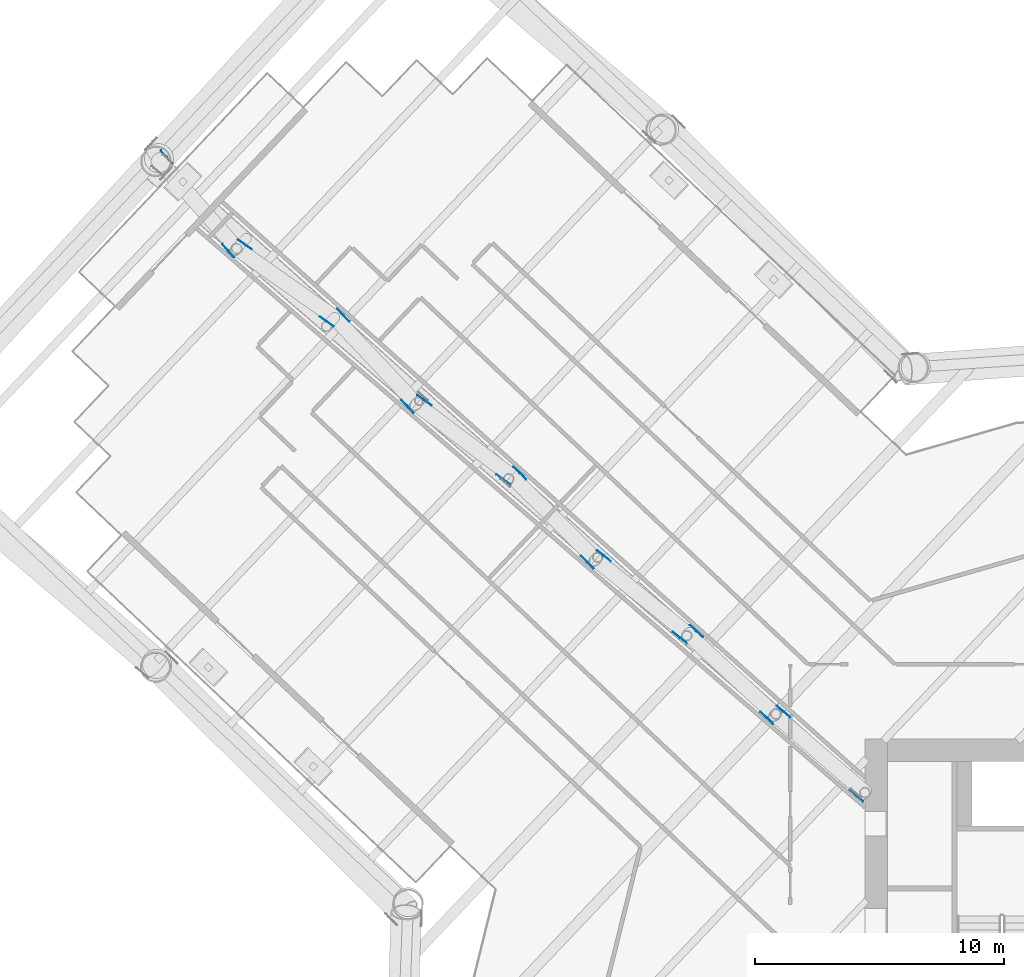
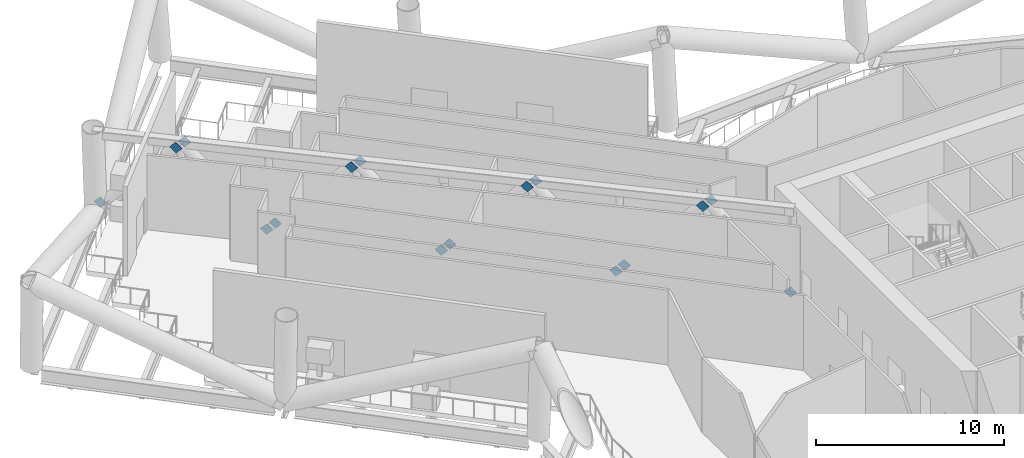
# One storey, part 20 of 39: 16 discrete accessories.
"""IFC4 building model written with IfcOpenShell, lengths in metres."""

import ifcopenshell
import ifcopenshell.guid

model = None  # the IFC model being written
_history = None  # IfcOwnerHistory: only IFC2X3 demands one
_inside = {}  # id of a spatial element -> (the spatial element, [elements in it])
_under = {}  # id of a project, library or spatial element -> (it, [spatial elements below it])
_declared = {}  # id of a project -> (the project, [libraries it declares])
_typed = {}  # id of a type object -> (the type object, [elements of that type])
_made_of = {}  # id of a material, layer set ... -> (it, [elements and type objects made of it])


def new_model(schema):
    """Start an empty IFC model of exactly this schema.

    Asked for "IFC4X3", IfcOpenShell would pick the latest addendum, in which some entities
    have other attributes; the version numbers below select the first issue.
    IFC2X3 requires an IfcOwnerHistory on every rooted entity: one is made here for all.
    """
    global model, _history
    if schema == "IFC4X3":
        model = ifcopenshell.file(schema_version=(4, 3, 0, 0))
    else:
        model = ifcopenshell.file(schema=schema)
    _inside.clear()
    _under.clear()
    _declared.clear()
    _typed.clear()
    _made_of.clear()
    _history = None
    if model.schema == "IFC2X3":
        org = make("IfcOrganization", Name="unknown")
        user = make(
            "IfcPersonAndOrganization",
            ThePerson=make("IfcPerson", FamilyName="unknown"),
            TheOrganization=org,
        )
        app = make(
            "IfcApplication",
            ApplicationDeveloper=org,
            Version="unknown",
            ApplicationFullName="unknown",
            ApplicationIdentifier="unknown",
        )
        _history = make(
            "IfcOwnerHistory",
            OwningUser=user,
            OwningApplication=app,
            ChangeAction="ADDED",
            CreationDate=0,
        )
    return model


def make(cls, **values):
    """One entity of the class cls with the attributes given. An attribute that is None is left unset."""
    return model.create_entity(
        cls, **{name: value for name, value in values.items() if value is not None}
    )


def rooted(cls, **values):
    """An entity with a GlobalId (a new one), such as an element, a storey or a relation."""
    return make(cls, GlobalId=ifcopenshell.guid.new(), OwnerHistory=_history, **values)


def si_unit(unit_type, name, prefix=None):
    """IfcSIUnit, for example si_unit("LENGTHUNIT", "METRE", prefix="MILLI")."""
    return make("IfcSIUnit", UnitType=unit_type, Prefix=prefix, Name=name)


def assignment(units):
    """IfcUnitAssignment: the units of a project."""
    return None if units is None else make("IfcUnitAssignment", Units=units)


def point(xyz):
    """IfcCartesianPoint."""
    return None if xyz is None else make("IfcCartesianPoint", Coordinates=xyz)


def direction(xyz):
    """IfcDirection."""
    return None if xyz is None else make("IfcDirection", DirectionRatios=xyz)


def frame(location, z_axis=None, x_axis=None):
    """IfcAxis2Placement3D, a coordinate frame: its origin and axes. An axis left out is left unset."""
    return make(
        "IfcAxis2Placement3D",
        Location=point(location),
        Axis=direction(z_axis),
        RefDirection=direction(x_axis),
    )


def frame_2d(location, x_axis=None):
    """IfcAxis2Placement2D, a coordinate frame in the plane: its origin and x axis."""
    return make(
        "IfcAxis2Placement2D", Location=point(location), RefDirection=direction(x_axis)
    )


def origin():
    """The frame at (0, 0, 0) with its axes left unset."""
    return frame((0.0, 0.0, 0.0))


def origin_2d():
    """The frame at (0, 0) in the plane with its x axis left unset."""
    return frame_2d((0.0, 0.0))


def place(relative_to, where):
    """IfcLocalPlacement: puts the frame where relative to a parent placement (None: the world)."""
    return make(
        "IfcLocalPlacement", PlacementRelTo=relative_to, RelativePlacement=where
    )


def context(
    kind, dimensions, precision=None, world=None, true_north=None, identifier=None
):
    """IfcGeometricRepresentationContext, for example the 3D "Model" context."""
    return make(
        "IfcGeometricRepresentationContext",
        ContextIdentifier=identifier,
        ContextType=kind,
        CoordinateSpaceDimension=dimensions,
        Precision=precision,
        WorldCoordinateSystem=world,
        TrueNorth=true_north,
    )


def subcontext(parent, identifier, kind, view, scale=None):
    """IfcGeometricRepresentationSubContext, for example "Body" below "Model"."""
    return make(
        "IfcGeometricRepresentationSubContext",
        ContextIdentifier=identifier,
        ContextType=kind,
        ParentContext=parent,
        TargetScale=scale,
        TargetView=view,
    )


def project(units=None, contexts=None):
    """IfcProject with its units and contexts."""
    return rooted(
        "IfcProject",
        Name="project",
        RepresentationContexts=contexts,
        UnitsInContext=assignment(units),
    )


def spatial(cls, under=None, at=None, **own):
    """A site, building, storey or space (cls), placed at a placement, below another one or the project."""
    s = rooted(cls, ObjectPlacement=at, **own)
    if under is not None:
        _under.setdefault(under.id(), (under, []))[1].append(s)
    return s


def profile(cls, at=None, kind="AREA", **sizes):
    """A parametric profile (cls). Its sizes go by their IFC names, for example OverallWidth=200.0."""
    return make(cls, ProfileType=kind, Position=at, **sizes)


def rectangle(**sizes):
    """IfcRectangleProfileDef."""
    return profile("IfcRectangleProfileDef", **sizes)


def extrude(swept, where, along, depth):
    """IfcExtrudedAreaSolid: the profile swept, set in the frame where, extruded along a direction by depth."""
    return make(
        "IfcExtrudedAreaSolid",
        SweptArea=swept,
        Position=where,
        ExtrudedDirection=direction(along),
        Depth=depth,
    )


def shape(context_of_items, identifier, shape_type, items):
    """IfcShapeRepresentation: the items that make up one representation, for example the "Body"."""
    return make(
        "IfcShapeRepresentation",
        ContextOfItems=context_of_items,
        RepresentationIdentifier=identifier,
        RepresentationType=shape_type,
        Items=items,
    )


def material(Name=None, Category=None):
    """IfcMaterial."""
    return make("IfcMaterial", Name=Name, Category=Category)


def material_profile(
    of_material, cross_section, Name=None, Category=None, Priority=None
):
    """IfcMaterialProfile: a cross section and its material."""
    return make(
        "IfcMaterialProfile",
        Name=Name,
        Material=of_material,
        Profile=cross_section,
        Priority=Priority,
        Category=Category,
    )


def profile_set(profiles, Name=None, composite=None):
    """IfcMaterialProfileSet."""
    return make(
        "IfcMaterialProfileSet",
        Name=Name,
        MaterialProfiles=profiles,
        CompositeProfile=composite,
    )


def made_of(thing, what):
    """Note that an element or type object is made of a material, layer set ...; save() writes the relation."""
    if what is not None:
        _made_of.setdefault(what.id(), (what, []))[1].append(thing)
    return thing


def type_object(cls, material=None, **own):
    """A type object (cls), such as IfcWallType, which elements share."""
    return made_of(rooted(cls, **own), material)


def element(
    cls,
    number,
    at=None,
    inside=None,
    cuts=None,
    type_object=None,
    material=None,
    context=None,
    identifier="Body",
    shape_type=None,
    held_by="IfcProductDefinitionShape",
    body=None,
    shapes=None,
    **own,
):
    """One element of the class cls, such as IfcWall. Its Tag is "e" and its number.

    at: its placement. inside: the storey or other place that contains it. cuts: it is an
    opening in that element (IfcRelVoidsElement). A single representation is given by context,
    identifier, shape_type and body (its items); several are given by shapes. held_by: the class
    of the entity that holds the representations. save() writes the other relations.
    """
    e = rooted(cls, Tag="e%d" % number, ObjectPlacement=at, **own)
    if body is not None:
        shapes = [shape(context, identifier, shape_type, body)]
    if shapes is not None:
        e.Representation = make(held_by, Representations=shapes)
    if inside is not None:
        _inside.setdefault(inside.id(), (inside, []))[1].append(e)
    if cuts is not None:
        rooted(
            "IfcRelVoidsElement", RelatingBuildingElement=cuts, RelatedOpeningElement=e
        )
    if type_object is not None:
        _typed.setdefault(type_object.id(), (type_object, []))[1].append(e)
    return made_of(e, material)


def aggregate(whole, parts):
    """IfcRelAggregates: a whole, such as a stair, and the parts it consists of."""
    return rooted("IfcRelAggregates", RelatingObject=whole, RelatedObjects=parts)


def save(model, path):
    """Write the relations noted so far, then the file.

    IfcRelAggregates (storeys below a building ...), IfcRelContainedInSpatialStructure (elements
    in a storey), IfcRelDefinesByType, IfcRelAssociatesMaterial and IfcRelDeclares: one each for
    every whole, place, type object, material and project.
    """
    for whole, parts in _under.values():
        aggregate(whole, parts)
    for where, things in _inside.values():
        rooted(
            "IfcRelContainedInSpatialStructure",
            RelatedElements=things,
            RelatingStructure=where,
        )
    for kind, things in _typed.values():
        rooted("IfcRelDefinesByType", RelatedObjects=things, RelatingType=kind)
    for what, things in _made_of.values():
        rooted("IfcRelAssociatesMaterial", RelatedObjects=things, RelatingMaterial=what)
    for by, libraries in _declared.values():
        rooted("IfcRelDeclares", RelatingContext=by, RelatedDefinitions=libraries)
    model.write(path)


model = new_model("IFC4")

# Units and contexts
model_context = context("Model", 3, precision=1e-05, world=origin(), true_north=direction((0.0, 1.0)))
body_context = subcontext(model_context, "Body", "Model", "MODEL_VIEW")
ifc_project = project(units=[si_unit("LENGTHUNIT", "METRE"), si_unit("AREAUNIT", "SQUARE_METRE"), si_unit("VOLUMEUNIT", "CUBIC_METRE"), si_unit("PLANEANGLEUNIT", "RADIAN"), si_unit("MASSUNIT", "GRAM", prefix="KILO")], contexts=[model_context])

# Site, building, storey
site_placement = place(None, origin())
site = spatial("IfcSite", under=ifc_project, at=site_placement, CompositionType="ELEMENT")
building_placement = place(site_placement, origin())
building = spatial("IfcBuilding", under=site, at=building_placement, Name="Tarsis Ring Headquarters", CompositionType="ELEMENT")
storey_placement = place(building_placement, frame((0.0, 0.0, 86.800048828125)))
storey = spatial("IfcBuildingStorey", under=building, at=storey_placement, Name="L19", CompositionType="ELEMENT", Elevation=86.800048828125)

# Discrete accessories
ifc_material = material(Name="Structural steel S355", Category="steel")
ifc_material_profile = material_profile(ifc_material, rectangle(XDim=0.02490234375, YDim=0.5, at=origin_2d()), Name="PL 25x500")
ifc_profile_set = profile_set([ifc_material_profile], Name="Structural steel S355")
discrete_accessory_type = type_object("IfcDiscreteAccessoryType", Name="Gusset plate Outrigger 25", PredefinedType="BRACKET", material=ifc_profile_set)
for number, where, z_axis, x_axis, name in (
    (1, (-10.207763671875, 10.6123046875, 0.25390625), (-0.503440654857, 0.436543109061, 0.745639068832), (-0.655125806665, -0.755519806121, 0.0), "Gusset plate GP1"),
    (2, (-13.39306640625, 14.2109375, 5.5859375), (0.503440654857, -0.436543109061, -0.745639068832), (0.655125806665, 0.755519806121, 0.0), "Gusset plate GP1"),
    (3, (-13.816650390625, 13.73828125, 5.5859375), (-0.488292368043, 0.452647025176, -0.74611073837), (-0.679832014799, -0.733367869254, 0.0), "Gusset plate GP1"),
    (4, (-16.877197265625, 17.439208984375, 0.25390625), (0.488664104148, -0.45253908546, 0.745932818321), (0.679466493998, 0.733706537748, 0.0), "Gusset plate GP1"),
    (5, (-17.29248046875, 16.9599609375, 0.25390625), (-0.51819157397, 0.419534931235, 0.74529721195), (-0.629240373111, -0.777210751886, 0.0), "Gusset plate GP1"),
    (6, (-20.60302734375, 20.455322265625, 5.5859375), (0.518442465111, -0.419830998113, -0.74495593386), (0.629324526334, 0.777142612752, 0.0), "Gusset plate GP1"),
    (7, (-21.026123046875, 19.983154296875, 5.5859375), (-0.473258168268, 0.468862581566, -0.745784543803), (-0.70380002252, -0.710398147731, 0.0), "Gusset plate GP1"),
):
    element("IfcDiscreteAccessory", number, at=place(storey_placement, frame(where, z_axis=z_axis, x_axis=x_axis)), inside=storey, type_object=discrete_accessory_type, Name=name, PredefinedType="BRACKET", context=body_context, shape_type="SweptSolid", body=[
        extrude(rectangle(XDim=0.02490234375, YDim=0.5, at=origin_2d()), origin(), (0.0, 0.0, 1.0), 0.5),
    ])
discrete_accessory_1_placement = place(storey_placement, frame((-23.96240234375, 23.7861328125, 0.25390625), z_axis=(0.47346464704, -0.468583568204, 0.745828846058), x_axis=(0.703433573229, 0.710761006284, 0.0)))
element("IfcDiscreteAccessory", 8, at=discrete_accessory_1_placement, inside=storey, type_object=discrete_accessory_type, Name="Gusset plate GP1", PredefinedType="BRACKET", context=body_context, shape_type="SweptSolid", body=[
    extrude(rectangle(XDim=0.02490234375, YDim=0.5, at=origin_2d()), origin(), (0.0, 0.0, 1.0), 0.500244140625),
])
for number, where, z_axis, x_axis, name in (
    (9, (-24.376953125, 23.3076171875, 0.25390625), (-0.532767052171, 0.402871510578, 0.744213554086), (-0.603153656044, -0.797625016659, 0.0), "Gusset plate GP1"),
    (10, (-27.813232421875, 26.69921875, 5.5859375), (0.533116637123, -0.402766690134, -0.744019922139), (0.602802079507, 0.797890752511, 0.0), "Gusset plate GP1"),
    (11, (-28.235107421875, 26.228271484375, 5.5859375), (-0.457993344507, 0.484847964921, -0.745093650019), (-0.726952242812, -0.686688019897, 0.0), "Gusset plate GP1"),
    (12, (-31.047607421875, 30.1328125, 0.25390625), (0.457440849497, -0.484779897066, 0.745477243524), (0.727317768483, 0.686300855054, 0.0), "Gusset plate GP1"),
):
    element("IfcDiscreteAccessory", number, at=place(storey_placement, frame(where, z_axis=z_axis, x_axis=x_axis)), inside=storey, type_object=discrete_accessory_type, Name=name, PredefinedType="BRACKET", context=body_context, shape_type="SweptSolid", body=[
        extrude(rectangle(XDim=0.02490234375, YDim=0.5, at=origin_2d()), origin(), (0.0, 0.0, 1.0), 0.5),
    ])
discrete_accessory_2_placement = place(storey_placement, frame((-31.461181640625, 29.65576171875, 0.25390625), z_axis=(-0.547172783193, 0.3856079382, 0.742905420178), x_axis=(-0.576053202223, -0.817412202141, 0.0)))
element("IfcDiscreteAccessory", 13, at=discrete_accessory_2_placement, inside=storey, type_object=discrete_accessory_type, Name="Gusset plate GP1", PredefinedType="BRACKET", context=body_context, shape_type="SweptSolid", body=[
    extrude(rectangle(XDim=0.02490234375, YDim=0.5, at=origin_2d()), origin(), (0.0, 0.0, 1.0), 0.500244140625),
])
discrete_accessory_3_placement = place(storey_placement, frame((-35.0234375, 32.943115234375, 5.5859375), z_axis=(0.54737124202, -0.385747797677, -0.742686582616), x_axis=(0.576053202223, 0.817412202141, 0.0)))
element("IfcDiscreteAccessory", 14, at=discrete_accessory_3_placement, inside=storey, type_object=discrete_accessory_type, Name="Gusset plate GP1", PredefinedType="BRACKET", context=body_context, shape_type="SweptSolid", body=[
    extrude(rectangle(XDim=0.02490234375, YDim=0.5, at=origin_2d()), origin(), (0.0, 0.0, 1.0), 0.5),
])
discrete_accessory_4_placement = place(storey_placement, frame((-35.444091796875, 32.4736328125, 5.5859375), z_axis=(-0.442004036686, 0.500612306744, -0.744325029735), x_axis=(-0.749624390028, -0.66186348583, 0.0)))
element("IfcDiscreteAccessory", 15, at=discrete_accessory_4_placement, inside=storey, type_object=discrete_accessory_type, Name="Gusset plate GP1", PredefinedType="BRACKET", context=body_context, shape_type="SweptSolid", body=[
    extrude(rectangle(XDim=0.02490234375, YDim=0.5, at=origin_2d()), origin(), (0.0, 0.0, 1.0), 0.499755859375),
])
discrete_accessory_5_placement = place(storey_placement, frame((-38.13330078125, 36.479248046875, 0.25390625), z_axis=(0.441843389856, -0.500430358677, 0.744542728763), x_axis=(0.749624390028, 0.66186348583, 0.0)))
element("IfcDiscreteAccessory", 16, at=discrete_accessory_5_placement, inside=storey, type_object=discrete_accessory_type, Name="Gusset plate GP1", PredefinedType="BRACKET", context=body_context, shape_type="SweptSolid", body=[
    extrude(rectangle(XDim=0.02490234375, YDim=0.5, at=origin_2d()), origin(), (0.0, 0.0, 1.0), 0.5),
])

save(model, "model.ifc")
